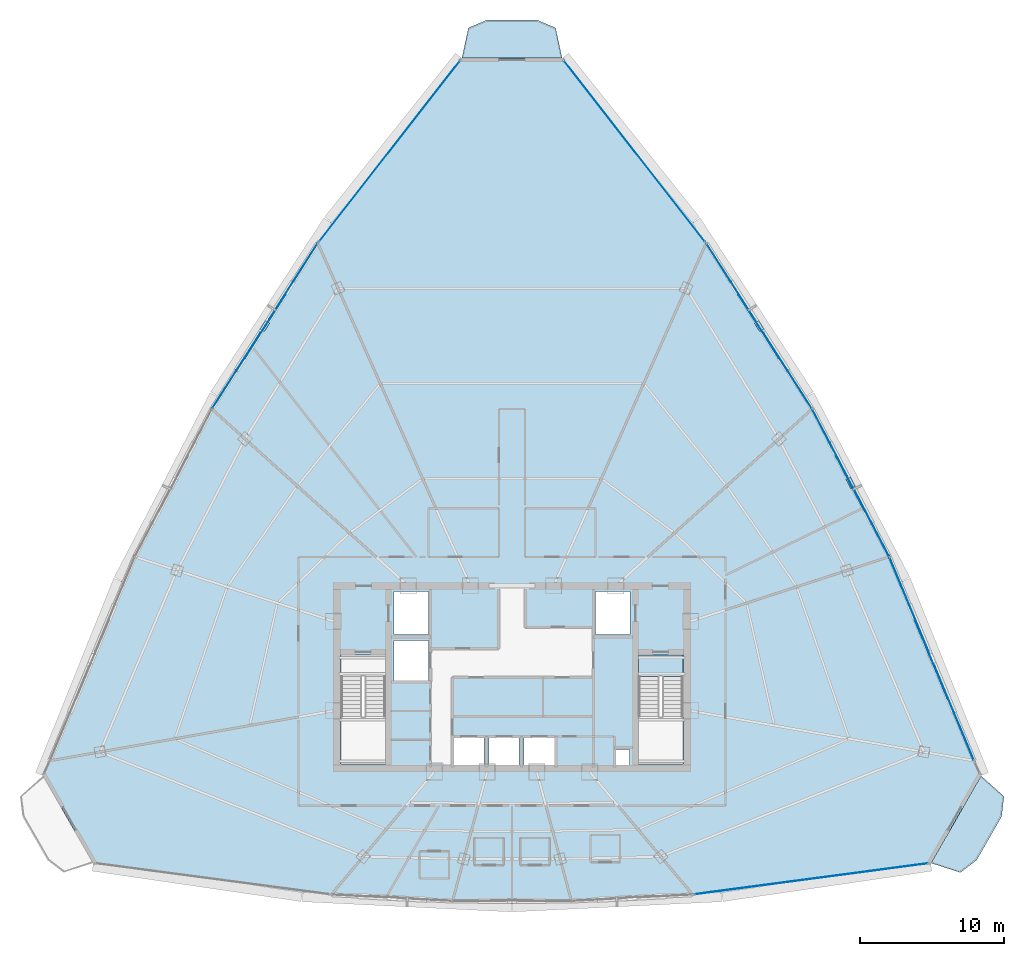
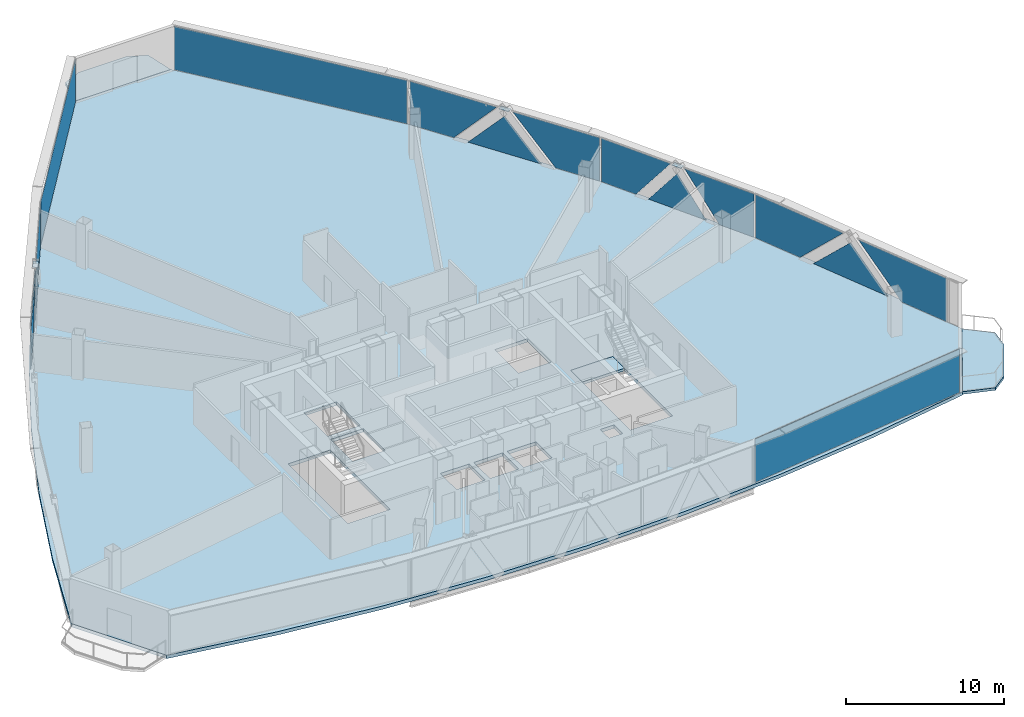
# One storey, part 29 of 37: 18 plates, 4 slabs, 8 elements without a shape of their own.
"""IFC4 building model written with IfcOpenShell, lengths in metres."""

from ifc_helpers import new_model, si_unit, direction, frame, origin, origin_2d, place, context, subcontext, project, spatial, polyline, rectangle, outline, extrude, source, transform, mapped, material, layer, layer_set, type_object, element, aggregate, save


model = new_model("IFC4")

# Units and contexts
model_context = context("Model", 3, precision=1e-05, world=origin(), true_north=direction((0.0, 1.0)))
body_context = subcontext(model_context, "Body", "Model", "MODEL_VIEW")
ifc_project = project(units=[si_unit("LENGTHUNIT", "METRE"), si_unit("AREAUNIT", "SQUARE_METRE"), si_unit("VOLUMEUNIT", "CUBIC_METRE"), si_unit("PLANEANGLEUNIT", "RADIAN"), si_unit("MASSUNIT", "GRAM", prefix="KILO"), si_unit("THERMODYNAMICTEMPERATUREUNIT", "KELVIN"), si_unit("POWERUNIT", "WATT")], contexts=[model_context])

# Site, building, storey
site_placement = place(None, origin())
site = spatial("IfcSite", under=ifc_project, at=site_placement, CompositionType="ELEMENT")
building_placement = place(site_placement, origin())
building = spatial("IfcBuilding", under=site, at=building_placement, Name="Yunzhuo Pagoda Commons", CompositionType="ELEMENT")
storey_placement = place(building_placement, frame((0.0, 0.0, 277.56005859375)))
storey = spatial("IfcBuildingStorey", under=building, at=storey_placement, Name="L69", CompositionType="ELEMENT", Elevation=277.56005859375)

# Curtain wall, plates
ifc_material_1 = material(Name="Anodized aluminium 6063-T6", Category="aluminium")
ifc_layer_1 = layer(ifc_material_1, 0.139892578125)
ifc_layer_set_1 = layer_set([ifc_layer_1], Name="Anodized aluminium 6063-T6")
curtain_wall_type = type_object("IfcCurtainWallType", Name="CW-HI High-Zone Ribbon Curtain Wall", PredefinedType="NOTDEFINED", material=ifc_layer_set_1)
curtain_wall_1_placement = place(storey_placement, origin())
curtain_wall_1 = element("IfcCurtainWall", 1, at=curtain_wall_1_placement, inside=storey, type_object=curtain_wall_type, Name="L69 curtain wall CW-L69-F2B2", PredefinedType="NOTDEFINED")
ifc_material_2 = material(Name="Tempered low-e double glazing", Category="glass")
ifc_layer_2 = layer(ifc_material_2, 0.02587890625)
ifc_layer_set_2 = layer_set([ifc_layer_2], Name="Tempered low-e double glazing")
plate_type_1 = type_object("IfcPlateType", Name="CW-HI-P Low-E Double Glazing 26", PredefinedType="CURTAIN_PANEL", material=ifc_layer_set_2)
plate_1_placement = place(storey_placement, frame((78.765869140625, 31.32470703125, 1.73486328125), z_axis=(0.923393531316, 0.383854642182, 0.0), x_axis=(-0.383854642182, 0.923393531316, 0.0)))
plate_1 = element("IfcPlate", 2, at=plate_1_placement, type_object=plate_type_1, Name="CW panel 1.1 lite 1", PredefinedType="CURTAIN_PANEL", context=body_context, shape_type="SweptSolid", body=[
    extrude(outline(polyline([(-3.5126953125, -1.679931640625), (0.05029296875, -1.679931640625), (3.5126953125, 1.679931640625), (-3.5126953125, 1.679931640625), (-3.5126953125, -1.679931640625)])), origin(), (0.0, 0.0, 1.0), 0.028076171875),
])
plate_2_placement = place(storey_placement, frame((77.158447265625, 35.113037109375, 1.49755859375), z_axis=(0.923393531316, 0.383854642182, 0.0), x_axis=(-0.383854642182, 0.923393531316, 0.0)))
plate_2 = element("IfcPlate", 3, at=plate_2_placement, type_object=plate_type_1, Name="CW panel 1.1 lite 2", PredefinedType="CURTAIN_PANEL", context=body_context, shape_type="SweptSolid", body=[
    extrude(outline(polyline([(-2.973388671875, -1.442626953125), (2.973388671875, -1.442626953125), (0.0, 1.442626953125), (-2.973388671875, -1.442626953125)])), origin(), (0.0, 0.0, 1.0), 0.028076171875),
])
plate_3_placement = place(storey_placement, frame((75.606689453125, 38.92431640625, 1.73486328125), z_axis=(0.923393531316, 0.383854642182, 0.0), x_axis=(-0.383854642182, 0.923393531316, 0.0)))
plate_3 = element("IfcPlate", 4, at=plate_3_placement, type_object=plate_type_1, Name="CW panel 1.1 lite 3", PredefinedType="CURTAIN_PANEL", context=body_context, shape_type="SweptSolid", body=[
    extrude(outline(polyline([(-3.5126953125, 1.679931640625), (-0.050048828125, -1.679931640625), (3.5126953125, -1.679931640625), (3.5126953125, 1.679931640625), (-3.5126953125, 1.679931640625)])), origin(), (0.0, 0.0, 1.0), 0.028076171875),
])
aggregate(curtain_wall_1, [plate_1, plate_2, plate_3])

curtain_wall_2_placement = place(storey_placement, origin())
curtain_wall_2 = element("IfcCurtainWall", 5, at=curtain_wall_2_placement, inside=storey, type_object=curtain_wall_type, Name="L69 curtain wall CW-L69-F2B3", PredefinedType="NOTDEFINED")
plate_4_placement = place(storey_placement, frame((73.001953125, 44.5849609375, 1.73486328125), z_axis=(0.886404488049, 0.462911528876, 0.0), x_axis=(-0.462911528876, 0.886404488049, 0.0)))
plate_4 = element("IfcPlate", 6, at=plate_4_placement, type_object=plate_type_1, Name="CW panel 1.1 lite 1", PredefinedType="CURTAIN_PANEL", context=body_context, shape_type="SweptSolid", body=[
    extrude(outline(polyline([(-2.605712890625, -1.679931640625), (-0.00439453125, -1.679931640625), (2.605712890625, 1.679931640625), (-2.605712890625, 1.679931640625), (-2.605712890625, -1.679931640625)])), origin(), (0.0, 0.0, 1.0), 0.028076171875),
])
plate_5_placement = place(storey_placement, frame((71.5263671875, 47.34521484375, 1.45263671875), z_axis=(0.886404488049, 0.462911528876, 0.0), x_axis=(-0.462911528876, 0.886404488049, 0.0)))
plate_5 = element("IfcPlate", 7, at=plate_5_placement, type_object=plate_type_1, Name="CW panel 1.1 lite 2", PredefinedType="CURTAIN_PANEL", context=body_context, shape_type="SweptSolid", body=[
    extrude(outline(polyline([(-2.171875, -1.397705078125), (2.171875, -1.397705078125), (0.0, 1.397705078125), (-2.171875, -1.397705078125)])), origin(), (0.0, 0.0, 1.0), 0.028076171875),
])
plate_6_placement = place(storey_placement, frame((70.104248046875, 50.13330078125, 1.73486328125), z_axis=(0.886404488049, 0.462911528876, 0.0), x_axis=(-0.462911528876, 0.886404488049, 0.0)))
plate_6 = element("IfcPlate", 8, at=plate_6_placement, type_object=plate_type_1, Name="CW panel 1.1 lite 3", PredefinedType="CURTAIN_PANEL", context=body_context, shape_type="SweptSolid", body=[
    extrude(outline(polyline([(-2.605712890625, 1.679931640625), (0.00439453125, -1.679931640625), (2.605712890625, -1.679931640625), (2.605712890625, 1.679931640625), (-2.605712890625, 1.679931640625)])), origin(), (0.0, 0.0, 1.0), 0.028076171875),
])
aggregate(curtain_wall_2, [plate_4, plate_5, plate_6])

curtain_wall_3_placement = place(storey_placement, origin())
curtain_wall_3 = element("IfcCurtainWall", 9, at=curtain_wall_3_placement, inside=storey, type_object=curtain_wall_type, Name="L69 curtain wall CW-L69-F2B4", PredefinedType="NOTDEFINED")
plate_7_placement = place(storey_placement, frame((67.164306640625, 55.167724609375, 1.73486328125), z_axis=(0.842779157761, 0.538259501768, 0.0), x_axis=(-0.538259501768, 0.842779157761, 0.0)))
plate_7 = element("IfcPlate", 10, at=plate_7_placement, type_object=plate_type_1, Name="CW panel 1.1 lite 1", PredefinedType="CURTAIN_PANEL", context=body_context, shape_type="SweptSolid", body=[
    extrude(outline(polyline([(-3.11083984375, -1.679931640625), (0.026611328125, -1.679931640625), (3.11083984375, 1.679931640625), (-3.11083984375, 1.679931640625), (-3.11083984375, -1.679931640625)])), origin(), (0.0, 0.0, 1.0), 0.028076171875),
])
plate_8_placement = place(storey_placement, frame((65.15966796875, 58.25048828125, 1.4814453125), z_axis=(0.842779157761, 0.538259501768, 0.0), x_axis=(-0.538259501768, 0.842779157761, 0.0)))
plate_8 = element("IfcPlate", 11, at=plate_8_placement, type_object=plate_type_1, Name="CW panel 1.1 lite 2", PredefinedType="CURTAIN_PANEL", context=body_context, shape_type="SweptSolid", body=[
    extrude(outline(polyline([(-2.618896484375, -1.426513671875), (2.618896484375, -1.426513671875), (0.0, 1.426513671875), (-2.618896484375, -1.426513671875)])), origin(), (0.0, 0.0, 1.0), 0.028076171875),
])
plate_9_placement = place(storey_placement, frame((63.20556640625, 61.36572265625, 1.73486328125), z_axis=(0.842779157761, 0.538259501768, 0.0), x_axis=(-0.538259501768, 0.842779157761, 0.0)))
plate_9 = element("IfcPlate", 12, at=plate_9_placement, type_object=plate_type_1, Name="CW panel 1.1 lite 3", PredefinedType="CURTAIN_PANEL", context=body_context, shape_type="SweptSolid", body=[
    extrude(outline(polyline([(-3.11083984375, 1.679931640625), (-0.026611328125, -1.679931640625), (3.11083984375, -1.679931640625), (3.11083984375, 1.679931640625), (-3.11083984375, 1.679931640625)])), origin(), (0.0, 0.0, 1.0), 0.028076171875),
])
aggregate(curtain_wall_3, [plate_7, plate_8, plate_9])

curtain_wall_4_placement = place(storey_placement, origin())
curtain_wall_4 = element("IfcCurtainWall", 13, at=curtain_wall_4_placement, inside=storey, type_object=curtain_wall_type, Name="L69 curtain wall CW-L69-F3B2", PredefinedType="NOTDEFINED")
plate_10_placement = place(storey_placement, frame((32.79443359375, 61.36572265625, 1.73486328125), z_axis=(-0.842779157761, 0.538259501768, 0.0), x_axis=(-0.538259501768, -0.842779157761, 0.0)))
plate_10 = element("IfcPlate", 14, at=plate_10_placement, type_object=plate_type_1, Name="CW panel 1.1 lite 1", PredefinedType="CURTAIN_PANEL", context=body_context, shape_type="SweptSolid", body=[
    extrude(outline(polyline([(-3.11083984375, -1.679931640625), (0.026611328125, -1.679931640625), (3.11083984375, 1.679931640625), (-3.11083984375, 1.679931640625), (-3.11083984375, -1.679931640625)])), origin(), (0.0, 0.0, 1.0), 0.028076171875),
])
plate_11_placement = place(storey_placement, frame((30.84033203125, 58.25048828125, 1.4814453125), z_axis=(-0.842779157761, 0.538259501768, 0.0), x_axis=(-0.538259501768, -0.842779157761, 0.0)))
plate_11 = element("IfcPlate", 15, at=plate_11_placement, type_object=plate_type_1, Name="CW panel 1.1 lite 2", PredefinedType="CURTAIN_PANEL", context=body_context, shape_type="SweptSolid", body=[
    extrude(outline(polyline([(-2.618896484375, -1.426513671875), (2.618896484375, -1.426513671875), (0.0, 1.426513671875), (-2.618896484375, -1.426513671875)])), origin(), (0.0, 0.0, 1.0), 0.028076171875),
])
plate_12_placement = place(storey_placement, frame((28.835693359375, 55.167724609375, 1.73486328125), z_axis=(-0.842779157761, 0.538259501768, 0.0), x_axis=(-0.538259501768, -0.842779157761, 0.0)))
plate_12 = element("IfcPlate", 16, at=plate_12_placement, type_object=plate_type_1, Name="CW panel 1.1 lite 3", PredefinedType="CURTAIN_PANEL", context=body_context, shape_type="SweptSolid", body=[
    extrude(outline(polyline([(-3.11083984375, 1.679931640625), (-0.026611328125, -1.679931640625), (3.11083984375, -1.679931640625), (3.11083984375, 1.679931640625), (-3.11083984375, 1.679931640625)])), origin(), (0.0, 0.0, 1.0), 0.028076171875),
])
aggregate(curtain_wall_4, [plate_10, plate_11, plate_12])

# Slabs
ifc_material_3 = material(Name="Concrete C40", Category="concrete")
ifc_layer_3 = layer(ifc_material_3, 0.199951171875)
ifc_layer_set_3 = layer_set([ifc_layer_3], Name="Concrete C40")
slab_type_1 = type_object("IfcSlabType", Name="SL-BAL Vertex Balcony Deck Slab 200", PredefinedType="FLOOR", material=ifc_layer_set_3)
slab_1_placement = place(storey_placement, frame((0.0, 0.0, -0.199951171875)))
element("IfcSlab", 17, at=slab_1_placement, inside=storey, type_object=slab_type_1, Name="L69 corner balcony V2", PredefinedType="FLOOR", context=body_context, shape_type="SweptSolid", body=[
    extrude(outline(polyline([(77.158203125, 20.912109375), (80.640380859375, 26.976806640625), (82.233154296875, 25.54345703125), (82.063720703125, 24.1435546875), (80.322509765625, 21.111328125), (79.198974609375, 20.25927734375), (77.158203125, 20.912109375)])), origin(), (0.0, 0.0, 1.0), 0.199951171875),
])
slab_2_placement = place(storey_placement, frame((0.0, 0.0, -0.199951171875)))
element("IfcSlab", 18, at=slab_2_placement, inside=storey, type_object=slab_type_1, Name="L69 corner balcony V3", PredefinedType="FLOOR", context=body_context, shape_type="SweptSolid", body=[
    extrude(outline(polyline([(51.482177734375, 76.927978515625), (44.517822265625, 76.927978515625), (44.9677734375, 79.02294921875), (46.2587890625, 79.572998046875), (49.7412109375, 79.572998046875), (51.0322265625, 79.02294921875), (51.482177734375, 76.927978515625)])), origin(), (0.0, 0.0, 1.0), 0.199951171875),
])

# Stair, slab
stair_type = type_object("IfcStairType", Name="ST-C2 Core Smokeproof Stair ST2", PredefinedType="HALF_TURN_STAIR", material=ifc_material_3)
stair_placement = place(storey_placement, origin())
stair = element("IfcStair", 19, at=stair_placement, inside=storey, type_object=stair_type, Name="L69 Core smokeproof stair ST2", PredefinedType="HALF_TURN_STAIR")
ifc_layer_4 = layer(ifc_material_3, 0.201904296875)
ifc_layer_set_4 = layer_set([ifc_layer_4], Name="Concrete C40")
slab_type_2 = type_object("IfcSlabType", Name="SL-LND2 Stair Landing Slab 202", PredefinedType="LANDING", material=ifc_layer_set_4)
slab_3_placement = place(storey_placement, frame((0.0, 0.0, -0.199951171875)))
slab_3 = element("IfcSlab", 20, at=slab_3_placement, type_object=slab_type_2, Name="ST2 floor landing L69", PredefinedType="LANDING", context=body_context, shape_type="SweptSolid", body=[
    extrude(outline(polyline([(56.800048828125, 35.39990234375), (56.800048828125, 33.89990234375), (59.89990234375, 33.89990234375), (59.89990234375, 35.39990234375), (56.800048828125, 35.39990234375)])), origin(), (0.0, 0.0, 1.0), 0.199951171875),
])
aggregate(stair, [slab_3])

# Slab
ifc_layer_5 = layer(ifc_material_3, 0.260009765625)
ifc_layer_set_5 = layer_set([ifc_layer_5], Name="Concrete C40")
slab_type_3 = type_object("IfcSlabType", Name="SL-TWR Typical Tower Floor Slab 260", PredefinedType="FLOOR", material=ifc_layer_set_5)
slab_4_placement = place(storey_placement, frame((0.0, 0.0, -0.260009765625)))
element("IfcSlab", 21, at=slab_4_placement, inside=storey, type_object=slab_type_3, Name="L69 structural floor slab", PredefinedType="FLOOR", context=body_context, shape_type="SweptSolid", body=[
    extrude(outline(polyline([(17.936279296875, 33.847900390625), (20.814697265625, 40.5380859375), (23.99951171875, 47.049072265625), (27.490478515625, 53.381591796875), (31.287841796875, 59.534912109375), (35.3916015625, 65.509765625), (39.801513671875, 71.3056640625), (44.517822265625, 76.9228515625), (51.482177734375, 76.9228515625), (56.198486328125, 71.3056640625), (60.6083984375, 65.509765625), (64.712158203125, 59.534912109375), (68.509521484375, 53.381591796875), (72.00048828125, 47.049072265625), (75.185302734375, 40.5380859375), (78.063720703125, 33.847900390625), (80.635986328125, 26.979248046875), (77.15380859375, 20.91455078125), (69.865478515625, 19.67333984375), (62.576904296875, 18.78662109375), (55.288330078125, 18.254638671875), (48.0, 18.077392578125), (40.711669921875, 18.254638671875), (33.423095703125, 18.78662109375), (26.134765625, 19.67333984375), (18.84619140625, 20.91455078125), (15.364013671875, 26.979248046875), (17.936279296875, 33.847900390625)]), holes=[polyline([(56.179931640625, 28.800048828125), (55.179931640625, 28.800048828125), (55.179931640625, 27.699951171875), (56.179931640625, 27.699951171875), (56.179931640625, 28.800048828125)]), polyline([(46.050048828125, 29.64990234375), (43.949951171875, 29.64990234375), (43.949951171875, 27.60009765625), (46.050048828125, 27.60009765625), (46.050048828125, 29.64990234375)]), polyline([(48.5, 29.64990234375), (46.39990234375, 29.64990234375), (46.39990234375, 27.60009765625), (48.5, 27.60009765625), (48.5, 29.64990234375)]), polyline([(50.949951171875, 29.64990234375), (48.85009765625, 29.64990234375), (48.85009765625, 27.60009765625), (50.949951171875, 27.60009765625), (50.949951171875, 29.64990234375)]), polyline([(39.199951171875, 27.800048828125), (39.199951171875, 35.39990234375), (36.10009765625, 35.39990234375), (36.10009765625, 27.800048828125), (39.199951171875, 27.800048828125)]), polyline([(59.89990234375, 27.800048828125), (59.89990234375, 35.39990234375), (56.800048828125, 35.39990234375), (56.800048828125, 27.800048828125), (59.89990234375, 27.800048828125)]), polyline([(42.199951171875, 36.39990234375), (39.800048828125, 36.39990234375), (39.800048828125, 33.60009765625), (42.199951171875, 33.60009765625), (42.199951171875, 36.39990234375)]), polyline([(42.199951171875, 36.800048828125), (42.199951171875, 39.800048828125), (39.800048828125, 39.800048828125), (39.800048828125, 36.800048828125), (42.199951171875, 36.800048828125)]), polyline([(56.199951171875, 36.800048828125), (56.199951171875, 39.800048828125), (53.800048828125, 39.800048828125), (53.800048828125, 36.800048828125), (56.199951171875, 36.800048828125)])]), origin(), (0.0, 0.0, 1.0), 0.260009765625),
])

# Plates
ifc_material_4 = material(Name="Structural steel Q355B", Category="steel")
ifc_layer_6 = layer(ifc_material_4, 0.028076171875)
ifc_layer_set_6 = layer_set([ifc_layer_6], Name="Structural steel Q355B")
plate_type_2 = type_object("IfcPlateType", Name="SP-ND1 Lattice Node Cap Plate 800x500x28", PredefinedType="USERDEFINED", material=ifc_layer_set_6)
shared_shape_1 = source(origin(), body_context, "Body", "SweptSolid", [
    extrude(rectangle(XDim=0.699951171875, YDim=0.35009765625, at=origin_2d()), origin(), (0.0, 0.0, 1.0), 0.035888671875),
])
for number, where, z_axis, x_axis, name in (
    (22, (71.5654296875, 47.36572265625, 3.43212890625), (0.0, 0.0, 1.0), (-0.462909311772, 0.886405645895, 0.0), "L69 setback lattice tie plate F2.2L"),
    (23, (65.19677734375, 58.274169921875, 3.43212890625), (0.0, 0.0, 1.0), (-0.538256059632, 0.842781356147, 0.0), "L69 setback lattice tie plate F2.3L"),
    (24, (30.80322265625, 58.274169921875, 3.43212890625), (0.0, 0.0, 1.0), (-0.538256059632, -0.842781356147, 0.0), "L69 setback lattice tie plate F3.1L"),
):
    element("IfcPlate", number, at=place(storey_placement, frame(where, z_axis=z_axis, x_axis=x_axis)), inside=storey, type_object=plate_type_2, Name=name, ObjectType="STIFFENER_PLATE", PredefinedType="USERDEFINED", context=body_context, shape_type="MappedRepresentation", body=[
        mapped(shared_shape_1, transform((0.0, 0.0, 0.0), scale=1.0)),
    ])

# Curtain wall, plate
curtain_wall_5_placement = place(storey_placement, origin())
curtain_wall_5 = element("IfcCurtainWall", 25, at=curtain_wall_5_placement, inside=storey, type_object=curtain_wall_type, Name="L69 curtain wall CW-L69-F1B5", PredefinedType="NOTDEFINED")
shared_shape_2 = source(origin(), body_context, "Body", "SweptSolid", [
    extrude(rectangle(XDim=16.37353515625, YDim=0.028076171875, at=origin_2d()), origin(), (0.0, 0.0, 1.0), 3.360107421875),
])
plate_13_placement = place(storey_placement, frame((68.818359375, 19.81396484375, 0.0546875), z_axis=(0.0, 0.0, 1.0), x_axis=(0.991341168318, 0.131311416098, 0.0)))
plate_13 = element("IfcPlate", 26, at=plate_13_placement, type_object=plate_type_1, Name="CW panel 1.1", PredefinedType="CURTAIN_PANEL", context=body_context, shape_type="MappedRepresentation", body=[
    mapped(shared_shape_2, transform((0.0, 0.0, 0.0), scale=1.0)),
])
aggregate(curtain_wall_5, [plate_13])

curtain_wall_6_placement = place(storey_placement, origin())
curtain_wall_6 = element("IfcCurtainWall", 27, at=curtain_wall_6_placement, inside=storey, type_object=curtain_wall_type, Name="L69 curtain wall CW-L69-F2B5", PredefinedType="NOTDEFINED")
shared_shape_3 = source(origin(), body_context, "Body", "SweptSolid", [
    extrude(rectangle(XDim=15.965576171875, YDim=0.028076171875, at=origin_2d()), origin(), (0.0, 0.0, 1.0), 3.360107421875),
])
plate_14_placement = place(storey_placement, frame((56.52099609375, 70.44873046875, 0.0546875), z_axis=(0.0, 0.0, 1.0), x_axis=(-0.614671579353, 0.78878314481, 0.0)))
plate_14 = element("IfcPlate", 28, at=plate_14_placement, type_object=plate_type_1, Name="CW panel 1.1", PredefinedType="CURTAIN_PANEL", context=body_context, shape_type="MappedRepresentation", body=[
    mapped(shared_shape_3, transform((0.0, 0.0, 0.0), scale=1.0)),
])
aggregate(curtain_wall_6, [plate_14])

curtain_wall_7_placement = place(storey_placement, origin())
curtain_wall_7 = element("IfcCurtainWall", 29, at=curtain_wall_7_placement, inside=storey, type_object=curtain_wall_type, Name="L69 curtain wall CW-L69-F3B1", PredefinedType="NOTDEFINED")
plate_15_placement = place(storey_placement, frame((39.47900390625, 70.44873046875, 0.0546875), z_axis=(0.0, 0.0, 1.0), x_axis=(-0.614671579353, -0.78878314481, 0.0)))
plate_15 = element("IfcPlate", 30, at=plate_15_placement, type_object=plate_type_1, Name="CW panel 1.1", PredefinedType="CURTAIN_PANEL", context=body_context, shape_type="MappedRepresentation", body=[
    mapped(shared_shape_3, transform((0.0, 0.0, 0.0), scale=1.0)),
])
aggregate(curtain_wall_7, [plate_15])

save(model, "model.ifc")
